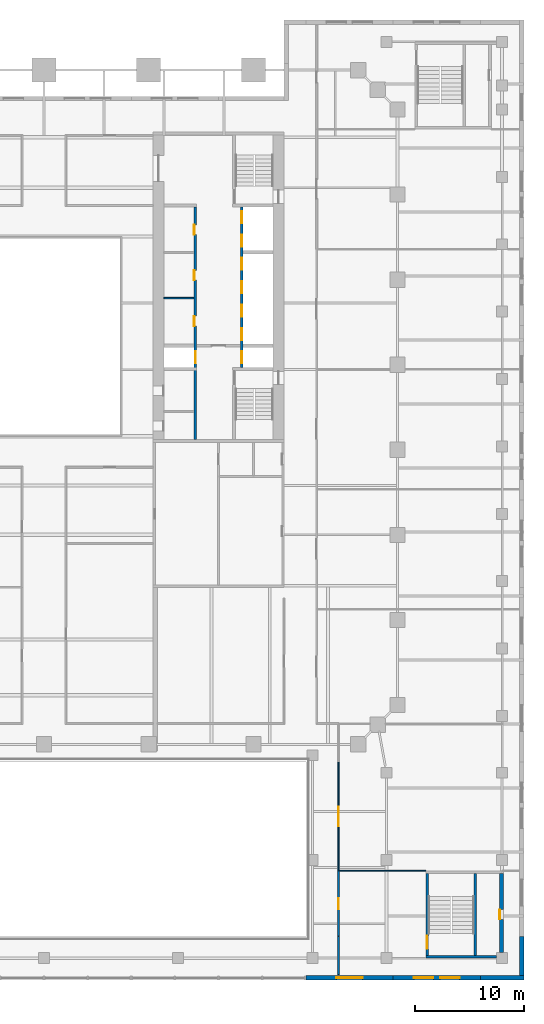
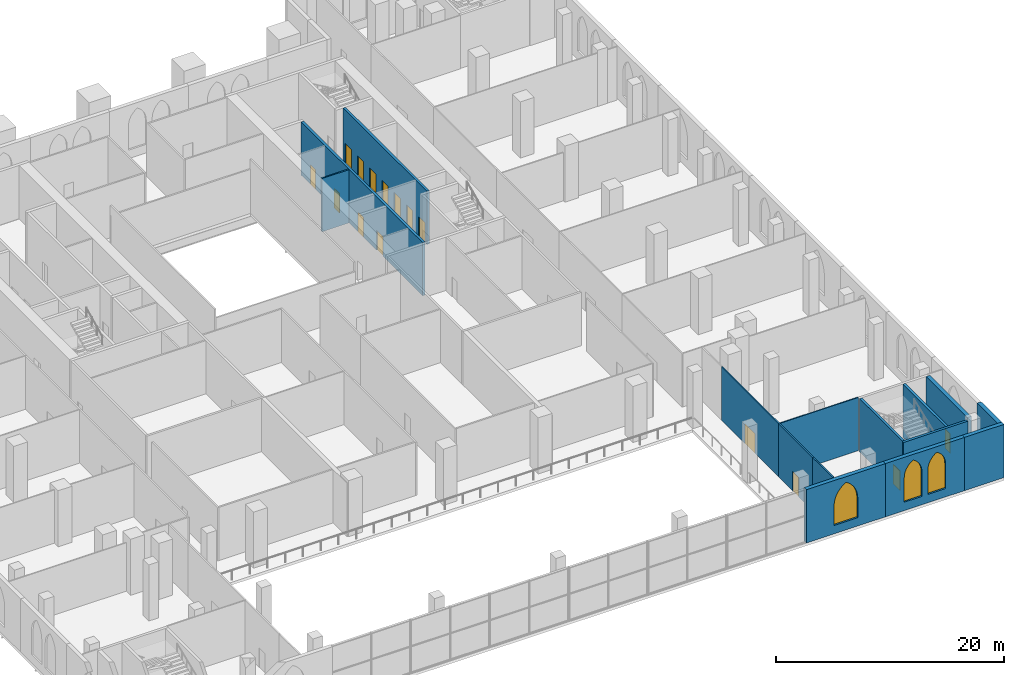
# One storey, part 12 of 21: 15 doors, 15 walls, 3 windows, 18 openings.
"""IFC4 building model written with IfcOpenShell, lengths in metres."""

import ifcopenshell
import ifcopenshell.guid

model = None  # the IFC model being written
_history = None  # IfcOwnerHistory: only IFC2X3 demands one
_inside = {}  # id of a spatial element -> (the spatial element, [elements in it])
_under = {}  # id of a project, library or spatial element -> (it, [spatial elements below it])
_declared = {}  # id of a project -> (the project, [libraries it declares])
_typed = {}  # id of a type object -> (the type object, [elements of that type])
_made_of = {}  # id of a material, layer set ... -> (it, [elements and type objects made of it])


def new_model(schema):
    """Start an empty IFC model of exactly this schema.

    Asked for "IFC4X3", IfcOpenShell would pick the latest addendum, in which some entities
    have other attributes; the version numbers below select the first issue.
    IFC2X3 requires an IfcOwnerHistory on every rooted entity: one is made here for all.
    """
    global model, _history
    if schema == "IFC4X3":
        model = ifcopenshell.file(schema_version=(4, 3, 0, 0))
    else:
        model = ifcopenshell.file(schema=schema)
    _inside.clear()
    _under.clear()
    _declared.clear()
    _typed.clear()
    _made_of.clear()
    _history = None
    if model.schema == "IFC2X3":
        org = make("IfcOrganization", Name="unknown")
        user = make(
            "IfcPersonAndOrganization",
            ThePerson=make("IfcPerson", FamilyName="unknown"),
            TheOrganization=org,
        )
        app = make(
            "IfcApplication",
            ApplicationDeveloper=org,
            Version="unknown",
            ApplicationFullName="unknown",
            ApplicationIdentifier="unknown",
        )
        _history = make(
            "IfcOwnerHistory",
            OwningUser=user,
            OwningApplication=app,
            ChangeAction="ADDED",
            CreationDate=0,
        )
    return model


def make(cls, **values):
    """One entity of the class cls with the attributes given. An attribute that is None is left unset."""
    return model.create_entity(
        cls, **{name: value for name, value in values.items() if value is not None}
    )


def rooted(cls, **values):
    """An entity with a GlobalId (a new one), such as an element, a storey or a relation."""
    return make(cls, GlobalId=ifcopenshell.guid.new(), OwnerHistory=_history, **values)


def si_unit(unit_type, name, prefix=None):
    """IfcSIUnit, for example si_unit("LENGTHUNIT", "METRE", prefix="MILLI")."""
    return make("IfcSIUnit", UnitType=unit_type, Prefix=prefix, Name=name)


def assignment(units):
    """IfcUnitAssignment: the units of a project."""
    return None if units is None else make("IfcUnitAssignment", Units=units)


def point(xyz):
    """IfcCartesianPoint."""
    return None if xyz is None else make("IfcCartesianPoint", Coordinates=xyz)


def direction(xyz):
    """IfcDirection."""
    return None if xyz is None else make("IfcDirection", DirectionRatios=xyz)


def frame(location, z_axis=None, x_axis=None):
    """IfcAxis2Placement3D, a coordinate frame: its origin and axes. An axis left out is left unset."""
    return make(
        "IfcAxis2Placement3D",
        Location=point(location),
        Axis=direction(z_axis),
        RefDirection=direction(x_axis),
    )


def frame_2d(location, x_axis=None):
    """IfcAxis2Placement2D, a coordinate frame in the plane: its origin and x axis."""
    return make(
        "IfcAxis2Placement2D", Location=point(location), RefDirection=direction(x_axis)
    )


def origin():
    """The frame at (0, 0, 0) with its axes left unset."""
    return frame((0.0, 0.0, 0.0))


def place(relative_to, where):
    """IfcLocalPlacement: puts the frame where relative to a parent placement (None: the world)."""
    return make(
        "IfcLocalPlacement", PlacementRelTo=relative_to, RelativePlacement=where
    )


def context(
    kind, dimensions, precision=None, world=None, true_north=None, identifier=None
):
    """IfcGeometricRepresentationContext, for example the 3D "Model" context."""
    return make(
        "IfcGeometricRepresentationContext",
        ContextIdentifier=identifier,
        ContextType=kind,
        CoordinateSpaceDimension=dimensions,
        Precision=precision,
        WorldCoordinateSystem=world,
        TrueNorth=true_north,
    )


def subcontext(parent, identifier, kind, view, scale=None):
    """IfcGeometricRepresentationSubContext, for example "Body" below "Model"."""
    return make(
        "IfcGeometricRepresentationSubContext",
        ContextIdentifier=identifier,
        ContextType=kind,
        ParentContext=parent,
        TargetScale=scale,
        TargetView=view,
    )


def project(units=None, contexts=None):
    """IfcProject with its units and contexts."""
    return rooted(
        "IfcProject",
        Name="project",
        RepresentationContexts=contexts,
        UnitsInContext=assignment(units),
    )


def spatial(cls, under=None, at=None, **own):
    """A site, building, storey or space (cls), placed at a placement, below another one or the project."""
    s = rooted(cls, ObjectPlacement=at, **own)
    if under is not None:
        _under.setdefault(under.id(), (under, []))[1].append(s)
    return s


def polyline(points):
    """IfcPolyline through the points."""
    return make("IfcPolyline", Points=[point(p) for p in points])


def profile(cls, at=None, kind="AREA", **sizes):
    """A parametric profile (cls). Its sizes go by their IFC names, for example OverallWidth=200.0."""
    return make(cls, ProfileType=kind, Position=at, **sizes)


def rectangle(**sizes):
    """IfcRectangleProfileDef."""
    return profile("IfcRectangleProfileDef", **sizes)


def outline(outer, holes=None, kind="AREA"):
    """IfcArbitraryClosedProfileDef: a profile drawn as a closed curve; with holes, ...WithVoids."""
    if holes is None:
        return make("IfcArbitraryClosedProfileDef", ProfileType=kind, OuterCurve=outer)
    return make(
        "IfcArbitraryProfileDefWithVoids",
        ProfileType=kind,
        OuterCurve=outer,
        InnerCurves=holes,
    )


def extrude(swept, where, along, depth):
    """IfcExtrudedAreaSolid: the profile swept, set in the frame where, extruded along a direction by depth."""
    return make(
        "IfcExtrudedAreaSolid",
        SweptArea=swept,
        Position=where,
        ExtrudedDirection=direction(along),
        Depth=depth,
    )


def shape(context_of_items, identifier, shape_type, items):
    """IfcShapeRepresentation: the items that make up one representation, for example the "Body"."""
    return make(
        "IfcShapeRepresentation",
        ContextOfItems=context_of_items,
        RepresentationIdentifier=identifier,
        RepresentationType=shape_type,
        Items=items,
    )


def material(Name=None, Category=None):
    """IfcMaterial."""
    return make("IfcMaterial", Name=Name, Category=Category)


def layer(
    of_material, thickness, ventilated=None, Name=None, Category=None, Priority=None
):
    """IfcMaterialLayer: one layer of a wall or slab, of a material (None: an air gap)."""
    return make(
        "IfcMaterialLayer",
        Material=of_material,
        LayerThickness=thickness,
        IsVentilated=ventilated,
        Name=Name,
        Category=Category,
        Priority=Priority,
    )


def layer_set(layers, Name=None):
    """IfcMaterialLayerSet."""
    return make("IfcMaterialLayerSet", MaterialLayers=layers, LayerSetName=Name)


def made_of(thing, what):
    """Note that an element or type object is made of a material, layer set ...; save() writes the relation."""
    if what is not None:
        _made_of.setdefault(what.id(), (what, []))[1].append(thing)
    return thing


def type_object(cls, material=None, **own):
    """A type object (cls), such as IfcWallType, which elements share."""
    return made_of(rooted(cls, **own), material)


def element(
    cls,
    number,
    at=None,
    inside=None,
    cuts=None,
    type_object=None,
    material=None,
    context=None,
    identifier="Body",
    shape_type=None,
    held_by="IfcProductDefinitionShape",
    body=None,
    shapes=None,
    **own,
):
    """One element of the class cls, such as IfcWall. Its Tag is "e" and its number.

    at: its placement. inside: the storey or other place that contains it. cuts: it is an
    opening in that element (IfcRelVoidsElement). A single representation is given by context,
    identifier, shape_type and body (its items); several are given by shapes. held_by: the class
    of the entity that holds the representations. save() writes the other relations.
    """
    e = rooted(cls, Tag="e%d" % number, ObjectPlacement=at, **own)
    if body is not None:
        shapes = [shape(context, identifier, shape_type, body)]
    if shapes is not None:
        e.Representation = make(held_by, Representations=shapes)
    if inside is not None:
        _inside.setdefault(inside.id(), (inside, []))[1].append(e)
    if cuts is not None:
        rooted(
            "IfcRelVoidsElement", RelatingBuildingElement=cuts, RelatedOpeningElement=e
        )
    if type_object is not None:
        _typed.setdefault(type_object.id(), (type_object, []))[1].append(e)
    return made_of(e, material)


def fill(opening, filler):
    """IfcRelFillsElement: the door or window that sits in an opening."""
    return rooted(
        "IfcRelFillsElement",
        RelatingOpeningElement=opening,
        RelatedBuildingElement=filler,
    )


def aggregate(whole, parts):
    """IfcRelAggregates: a whole, such as a stair, and the parts it consists of."""
    return rooted("IfcRelAggregates", RelatingObject=whole, RelatedObjects=parts)


def save(model, path):
    """Write the relations noted so far, then the file.

    IfcRelAggregates (storeys below a building ...), IfcRelContainedInSpatialStructure (elements
    in a storey), IfcRelDefinesByType, IfcRelAssociatesMaterial and IfcRelDeclares: one each for
    every whole, place, type object, material and project.
    """
    for whole, parts in _under.values():
        aggregate(whole, parts)
    for where, things in _inside.values():
        rooted(
            "IfcRelContainedInSpatialStructure",
            RelatedElements=things,
            RelatingStructure=where,
        )
    for kind, things in _typed.values():
        rooted("IfcRelDefinesByType", RelatedObjects=things, RelatingType=kind)
    for what, things in _made_of.values():
        rooted("IfcRelAssociatesMaterial", RelatedObjects=things, RelatingMaterial=what)
    for by, libraries in _declared.values():
        rooted("IfcRelDeclares", RelatingContext=by, RelatedDefinitions=libraries)
    model.write(path)


model = new_model("IFC4")

# Units and contexts
model_context = context("Model", 3, precision=1e-05, world=origin(), true_north=direction((0.0, 1.0)))
body_context = subcontext(model_context, "Body", "Model", "MODEL_VIEW")
ifc_project = project(units=[si_unit("LENGTHUNIT", "METRE"), si_unit("AREAUNIT", "SQUARE_METRE"), si_unit("VOLUMEUNIT", "CUBIC_METRE"), si_unit("PLANEANGLEUNIT", "RADIAN"), si_unit("MASSUNIT", "GRAM", prefix="KILO")], contexts=[model_context])

# Site, building, storey
site_placement = place(None, origin())
site = spatial("IfcSite", under=ifc_project, at=site_placement, CompositionType="ELEMENT")
building_placement = place(site_placement, origin())
building = spatial("IfcBuilding", under=site, at=building_placement, Name="Ogive Exchange Tower", CompositionType="ELEMENT")
storey_placement = place(building_placement, frame((0.0, 0.0, 8.0)))
storey = spatial("IfcBuildingStorey", under=building, at=storey_placement, Name="L01", CompositionType="ELEMENT", Elevation=8.0)

# Walls
ifc_material_1 = material(Name="Gypsum board partition")
ifc_layer_1 = layer(ifc_material_1, 0.14990234375)
ifc_layer_set_1 = layer_set([ifc_layer_1], Name="Core room partition 150 gypsum")
wall_type_1 = type_object("IfcWallType", Name="Core room partition 150 gypsum", PredefinedType="PARTITIONING", material=ifc_layer_set_1)
wall_1_placement = place(storey_placement, frame((11.0, 10.5, 0.0), z_axis=(0.0, 0.0, 1.0), x_axis=(1.0, 0.0, 0.0)))
element("IfcWall", 1, at=wall_1_placement, inside=storey, type_object=wall_type_1, Name="E row B bay partition 1-1", PredefinedType="PARTITIONING", context=body_context, shape_type="SweptSolid", body=[
    extrude(rectangle(XDim=2.75, YDim=0.14990234375, at=frame_2d((1.375, 0.0))), origin(), (0.0, 0.0, 1.0), 5.699951171875),
])
ifc_material_2 = material(Name="Fire partition EI 60 150")
ifc_layer_2 = layer(ifc_material_2, 0.14990234375)
ifc_layer_set_2 = layer_set([ifc_layer_2], Name="Fire partition EI 60 150")
wall_type_2 = type_object("IfcWallType", Name="Fire partition EI 60 150", PredefinedType="PARTITIONING", material=ifc_layer_set_2)
wall_2_placement = place(storey_placement, frame((27.0, -51.5, 0.0), z_axis=(0.0, 0.0, 1.0), x_axis=(0.0, 1.0, 0.0)))
element("IfcWall", 2, at=wall_2_placement, inside=storey, type_object=wall_type_2, Name="L01-PWL-066", PredefinedType="PARTITIONING", context=body_context, shape_type="SweptSolid", body=[
    extrude(rectangle(XDim=3.5, YDim=0.14990234375, at=frame_2d((1.75, 0.0))), origin(), (0.0, 0.0, 1.0), 5.699951171875),
])

# Wall, opening, door
wall_3_placement = place(storey_placement, frame((27.0, -48.0, 0.0), z_axis=(0.0, 0.0, 1.0), x_axis=(0.0, 1.0, 0.0)))
wall_3 = element("IfcWall", 3, at=wall_3_placement, inside=storey, type_object=wall_type_2, Name="L01-PWL-067", PredefinedType="PARTITIONING", context=body_context, shape_type="SweptSolid", body=[
    extrude(rectangle(XDim=6.0, YDim=0.14990234375, at=frame_2d((3.0, 0.0))), origin(), (0.0, 0.0, 1.0), 5.699951171875),
])
opening_1_placement = place(wall_3_placement, frame((2.5, 0.0, 0.0)))
opening_1 = element("IfcOpeningElement", 4, at=opening_1_placement, cuts=wall_3, Name="Opening L01-I16", PredefinedType="OPENING", context=body_context, shape_type="SweptSolid", body=[
    extrude(rectangle(XDim=1.0, YDim=2.10009765625, at=frame_2d((0.5, 1.050048828125))), frame((0.0, 0.0849609375, 0.0), z_axis=(0.0, -1.0, 0.0), x_axis=(1.0, 0.0, 0.0)), (0.0, 0.0, 1.0), 0.169921875),
])
ifc_material_3 = material(Name="Fire door FD 30S 1000 x 2100")
door_type_1 = type_object("IfcDoorType", Name="Fire door FD 30S 1000 x 2100", OperationType="NOTDEFINED", PredefinedType="DOOR", material=ifc_material_3)
door_1_placement = place(opening_1_placement, frame((1.0, 0.0, 0.0), z_axis=(0.0, 0.0, 1.0), x_axis=(-1.0, 0.0, 0.0)))
door_1 = element("IfcDoor", 5, at=door_1_placement, inside=storey, type_object=door_type_1, Name="L01-IDR-016", ObjectType="DT3", OperationType="SINGLE_SWING_RIGHT", OverallHeight=2.10009765625, OverallWidth=1.0, PredefinedType="DOOR", context=body_context, shape_type="SweptSolid", body=[
    extrude(rectangle(XDim=1.0, YDim=2.10009765625, at=frame_2d((0.5, 1.050048828125))), frame((0.0, 0.02490234375, 0.0), z_axis=(0.0, -1.0, 0.0), x_axis=(1.0, 0.0, 0.0)), (0.0, 0.0, 1.0), 0.050048828125),
])
fill(opening_1, door_1)

ifc_material_4 = material(Name="Glazed fire partition EI 60 120")
ifc_layer_3 = layer(ifc_material_4, 0.1201171875)
ifc_layer_set_3 = layer_set([ifc_layer_3], Name="Glazed fire partition EI 60 120")
wall_type_3 = type_object("IfcWallType", Name="Glazed fire partition EI 60 120", PredefinedType="PARTITIONING", material=ifc_layer_set_3)
wall_4_placement = place(storey_placement, frame((27.0, -42.0, 0.0), z_axis=(0.0, 0.0, 1.0), x_axis=(0.0, 1.0, 0.0)))
wall_4 = element("IfcWall", 6, at=wall_4_placement, inside=storey, type_object=wall_type_3, Name="L01-PWL-068", PredefinedType="PARTITIONING", context=body_context, shape_type="SweptSolid", body=[
    extrude(rectangle(XDim=10.0, YDim=0.1201171875, at=frame_2d((5.0, 0.0))), origin(), (0.0, 0.0, 1.0), 5.699951171875),
])
opening_2_placement = place(wall_4_placement, frame((4.10009765625, 0.0, 0.0)))
opening_2 = element("IfcOpeningElement", 7, at=opening_2_placement, cuts=wall_4, Name="Opening L01-I17", PredefinedType="OPENING", context=body_context, shape_type="SweptSolid", body=[
    extrude(rectangle(XDim=1.800048828125, YDim=2.10009765625, at=frame_2d((0.89990234375, 1.050048828125))), frame((0.0, 0.070068359375, 0.0), z_axis=(0.0, -1.0, 0.0), x_axis=(1.0, 0.0, 0.0)), (0.0, 0.0, 1.0), 0.14013671875),
])
ifc_material_5 = material(Name="Fire door FD 30S 1800 x 2100")
door_type_2 = type_object("IfcDoorType", Name="Fire door FD 30S 1800 x 2100", OperationType="DOUBLE_DOOR_SINGLE_SWING", PredefinedType="DOOR", material=ifc_material_5)
door_2_placement = place(opening_2_placement, frame((1.800048828125, 0.0, 0.0), z_axis=(0.0, 0.0, 1.0), x_axis=(-1.0, 0.0, 0.0)))
door_2 = element("IfcDoor", 8, at=door_2_placement, inside=storey, type_object=door_type_2, Name="L01-IDR-017", ObjectType="DT4", OperationType="SINGLE_SWING_RIGHT", OverallHeight=2.10009765625, OverallWidth=1.800048828125, PredefinedType="DOOR", context=body_context, shape_type="SweptSolid", body=[
    extrude(rectangle(XDim=1.800048828125, YDim=2.10009765625, at=frame_2d((0.89990234375, 1.050048828125))), frame((0.0, 0.02490234375, 0.0), z_axis=(0.0, -1.0, 0.0), x_axis=(1.0, 0.0, 0.0)), (0.0, 0.0, 1.0), 0.050048828125),
])
fill(opening_2, door_2)

# Wall, opening, window
ifc_material_6 = material(Name="Precast concrete C40/50", Category="concrete")
ifc_layer_4 = layer(ifc_material_6, 0.39990234375)
ifc_layer_set_4 = layer_set([ifc_layer_4], Name="Limestone-faced wall 400")
wall_type_4 = type_object("IfcWallType", Name="Limestone-faced wall 400", PredefinedType="STANDARD", material=ifc_layer_set_4)
wall_5_placement = place(storey_placement, frame((24.0, -51.800048828125, 0.0), z_axis=(0.0, 0.0, 1.0), x_axis=(1.0, 0.0, 0.0)))
wall_5 = element("IfcWall", 9, at=wall_5_placement, inside=storey, type_object=wall_type_4, Name="Podium wall S10", PredefinedType="STANDARD", context=body_context, shape_type="SweptSolid", body=[
    extrude(rectangle(XDim=8.0, YDim=0.39990234375, at=frame_2d((4.0, 0.0))), origin(), (0.0, 0.0, 1.0), 5.699951171875),
])
opening_3_placement = place(wall_5_placement, frame((2.800048828125, 0.0, 0.89990234375)))
opening_3 = element("IfcOpeningElement", 10, at=opening_3_placement, cuts=wall_5, Name="Opening WP420", PredefinedType="OPENING", context=body_context, shape_type="SweptSolid", body=[
    extrude(outline(polyline([(0.0, 0.0), (2.39990234375, 0.0), (2.39990234375, 2.12158203125), (2.37939453125, 2.434814453125), (2.318115234375, 2.74267578125), (2.21728515625, 3.0400390625), (2.078369140625, 3.321533203125), (1.904052734375, 3.58251953125), (1.697021484375, 3.818603515625), (1.4609375, 4.025634765625), (1.199951171875, 4.199951171875), (0.93896484375, 4.025634765625), (0.702880859375, 3.818603515625), (0.495849609375, 3.58251953125), (0.321533203125, 3.321533203125), (0.1826171875, 3.0400390625), (0.081787109375, 2.74267578125), (0.0205078125, 2.434814453125), (0.0, 2.12158203125), (0.0, 0.0)])), frame((0.0, 0.2099609375, 0.0), z_axis=(0.0, -1.0, 0.0), x_axis=(1.0, 0.0, 0.0)), (0.0, 0.0, 1.0), 0.419921875),
])
ifc_material_7 = material(Name="Clear glass in bronze frame", Category="glass")
window_type_1 = type_object("IfcWindowType", Name="Podium lancet window 2400 x 4200", PartitioningType="DOUBLE_PANEL_VERTICAL", PredefinedType="WINDOW", material=ifc_material_7)
window_1_placement = place(opening_3_placement, origin())
window_1 = element("IfcWindow", 11, at=window_1_placement, inside=storey, type_object=window_type_1, Name="Podium window S10", OverallHeight=4.199951171875, OverallWidth=2.39990234375, PartitioningType="DOUBLE_PANEL_VERTICAL", PredefinedType="WINDOW", context=body_context, shape_type="SweptSolid", body=[
    extrude(outline(polyline([(0.0, 0.0), (2.39990234375, 0.0), (2.39990234375, 2.12158203125), (2.37939453125, 2.434814453125), (2.318115234375, 2.74267578125), (2.21728515625, 3.0400390625), (2.078369140625, 3.321533203125), (1.904052734375, 3.58251953125), (1.697021484375, 3.818603515625), (1.4609375, 4.025634765625), (1.199951171875, 4.199951171875), (0.93896484375, 4.025634765625), (0.702880859375, 3.818603515625), (0.495849609375, 3.58251953125), (0.321533203125, 3.321533203125), (0.1826171875, 3.0400390625), (0.081787109375, 2.74267578125), (0.0205078125, 2.434814453125), (0.0, 2.12158203125), (0.0, 0.0)])), frame((0.0, 0.030029296875, 0.0), z_axis=(0.0, -1.0, 0.0), x_axis=(1.0, 0.0, 0.0)), (0.0, 0.0, 1.0), 0.06005859375),
])
fill(opening_3, window_1)

# Wall, openings, windows
wall_6_placement = place(storey_placement, frame((32.0, -51.800048828125, 0.0), z_axis=(0.0, 0.0, 1.0), x_axis=(1.0, 0.0, 0.0)))
wall_6 = element("IfcWall", 12, at=wall_6_placement, inside=storey, type_object=wall_type_4, Name="Podium wall S11", PredefinedType="STANDARD", context=body_context, shape_type="SweptSolid", body=[
    extrude(rectangle(XDim=8.0, YDim=0.39990234375, at=frame_2d((4.0, 0.0))), origin(), (0.0, 0.0, 1.0), 5.699951171875),
])
opening_4_placement = place(wall_6_placement, frame((1.89990234375, 0.0, 0.89990234375)))
opening_4 = element("IfcOpeningElement", 13, at=opening_4_placement, cuts=wall_6, Name="Opening WQ420", PredefinedType="OPENING", context=body_context, shape_type="SweptSolid", body=[
    extrude(outline(polyline([(0.0, 0.0), (1.800048828125, 0.0), (1.800048828125, 2.64111328125), (1.78466796875, 2.8759765625), (1.73876953125, 3.10693359375), (1.6630859375, 3.329833984375), (1.558837890625, 3.541015625), (1.427978515625, 3.73681640625), (1.272705078125, 3.913818359375), (1.095703125, 4.069091796875), (0.89990234375, 4.199951171875), (0.704345703125, 4.069091796875), (0.52734375, 3.913818359375), (0.3720703125, 3.73681640625), (0.2412109375, 3.541015625), (0.136962890625, 3.329833984375), (0.061279296875, 3.10693359375), (0.015380859375, 2.8759765625), (0.0, 2.64111328125), (0.0, 0.0)])), frame((0.0, 0.2099609375, 0.0), z_axis=(0.0, -1.0, 0.0), x_axis=(1.0, 0.0, 0.0)), (0.0, 0.0, 1.0), 0.419921875),
])
opening_5_placement = place(wall_6_placement, frame((4.300048828125, 0.0, 0.89990234375)))
opening_5 = element("IfcOpeningElement", 14, at=opening_5_placement, cuts=wall_6, Name="Opening WQ420", PredefinedType="OPENING", context=body_context, shape_type="SweptSolid", body=[
    extrude(outline(polyline([(0.0, 0.0), (1.800048828125, 0.0), (1.800048828125, 2.64111328125), (1.78466796875, 2.8759765625), (1.73876953125, 3.10693359375), (1.6630859375, 3.329833984375), (1.558837890625, 3.541015625), (1.427978515625, 3.73681640625), (1.272705078125, 3.913818359375), (1.095703125, 4.069091796875), (0.89990234375, 4.199951171875), (0.704345703125, 4.069091796875), (0.52734375, 3.913818359375), (0.3720703125, 3.73681640625), (0.2412109375, 3.541015625), (0.136962890625, 3.329833984375), (0.061279296875, 3.10693359375), (0.015380859375, 2.8759765625), (0.0, 2.64111328125), (0.0, 0.0)])), frame((0.0, 0.2099609375, 0.0), z_axis=(0.0, -1.0, 0.0), x_axis=(1.0, 0.0, 0.0)), (0.0, 0.0, 1.0), 0.419921875),
])
window_type_2 = type_object("IfcWindowType", Name="Podium paired lancet 1800 x 4200", PartitioningType="DOUBLE_PANEL_VERTICAL", PredefinedType="WINDOW", material=ifc_material_7)
window_2_placement = place(opening_4_placement, origin())
window_2 = element("IfcWindow", 15, at=window_2_placement, inside=storey, type_object=window_type_2, Name="Podium paired lancet S11.1", OverallHeight=4.199951171875, OverallWidth=1.800048828125, PartitioningType="DOUBLE_PANEL_VERTICAL", PredefinedType="WINDOW", context=body_context, shape_type="SweptSolid", body=[
    extrude(outline(polyline([(0.0, 0.0), (1.800048828125, 0.0), (1.800048828125, 2.64111328125), (1.78466796875, 2.8759765625), (1.73876953125, 3.10693359375), (1.6630859375, 3.329833984375), (1.558837890625, 3.541015625), (1.427978515625, 3.73681640625), (1.272705078125, 3.913818359375), (1.095703125, 4.069091796875), (0.89990234375, 4.199951171875), (0.704345703125, 4.069091796875), (0.52734375, 3.913818359375), (0.3720703125, 3.73681640625), (0.2412109375, 3.541015625), (0.136962890625, 3.329833984375), (0.061279296875, 3.10693359375), (0.015380859375, 2.8759765625), (0.0, 2.64111328125), (0.0, 0.0)])), frame((0.0, 0.030029296875, 0.0), z_axis=(0.0, -1.0, 0.0), x_axis=(1.0, 0.0, 0.0)), (0.0, 0.0, 1.0), 0.06005859375),
])
fill(opening_4, window_2)
window_3_placement = place(opening_5_placement, origin())
window_3 = element("IfcWindow", 16, at=window_3_placement, inside=storey, type_object=window_type_2, Name="Podium paired lancet S11.2", OverallHeight=4.199951171875, OverallWidth=1.800048828125, PartitioningType="DOUBLE_PANEL_VERTICAL", PredefinedType="WINDOW", context=body_context, shape_type="SweptSolid", body=[
    extrude(outline(polyline([(0.0, 0.0), (1.800048828125, 0.0), (1.800048828125, 2.64111328125), (1.78466796875, 2.8759765625), (1.73876953125, 3.10693359375), (1.6630859375, 3.329833984375), (1.558837890625, 3.541015625), (1.427978515625, 3.73681640625), (1.272705078125, 3.913818359375), (1.095703125, 4.069091796875), (0.89990234375, 4.199951171875), (0.704345703125, 4.069091796875), (0.52734375, 3.913818359375), (0.3720703125, 3.73681640625), (0.2412109375, 3.541015625), (0.136962890625, 3.329833984375), (0.061279296875, 3.10693359375), (0.015380859375, 2.8759765625), (0.0, 2.64111328125), (0.0, 0.0)])), frame((0.0, 0.030029296875, 0.0), z_axis=(0.0, -1.0, 0.0), x_axis=(1.0, 0.0, 0.0)), (0.0, 0.0, 1.0), 0.06005859375),
])
fill(opening_5, window_3)

# Walls
wall_7_placement = place(storey_placement, frame((40.0, -51.800048828125, 0.0), z_axis=(0.0, 0.0, 1.0), x_axis=(1.0, 0.0, 0.0)))
element("IfcWall", 17, at=wall_7_placement, inside=storey, type_object=wall_type_4, Name="Podium wall S12", PredefinedType="STANDARD", context=body_context, shape_type="SweptSolid", body=[
    extrude(rectangle(XDim=4.0, YDim=0.39990234375, at=frame_2d((2.0, 0.0))), origin(), (0.0, 0.0, 1.0), 5.699951171875),
])
wall_8_placement = place(storey_placement, frame((43.800048828125, -51.60009765625, 0.0), z_axis=(0.0, 0.0, 1.0), x_axis=(0.0, 1.0, 0.0)))
element("IfcWall", 18, at=wall_8_placement, inside=storey, type_object=wall_type_4, Name="Podium wall E1", PredefinedType="STANDARD", context=body_context, shape_type="SweptSolid", body=[
    extrude(rectangle(XDim=3.60009765625, YDim=0.39990234375, at=frame_2d((1.800048828125, 0.0))), origin(), (0.0, 0.0, 1.0), 5.699951171875),
])
ifc_material_8 = material(Name="Partition 100 gypsum")
ifc_layer_5 = layer(ifc_material_8, 0.10009765625)
ifc_layer_set_5 = layer_set([ifc_layer_5], Name="Partition 100 gypsum")
wall_type_5 = type_object("IfcWallType", Name="Partition 100 gypsum", PredefinedType="PARTITIONING", material=ifc_layer_set_5)
wall_9_placement = place(storey_placement, frame((27.074951171875, -42.0, 0.0), z_axis=(0.0, 0.0, 1.0), x_axis=(1.0, 0.0, 0.0)))
element("IfcWall", 19, at=wall_9_placement, inside=storey, type_object=wall_type_5, Name="L01-PWL-003", PredefinedType="PARTITIONING", context=body_context, shape_type="SweptSolid", body=[
    extrude(rectangle(XDim=7.925048828125, YDim=0.10009765625, at=frame_2d((3.96240234375, 0.0))), origin(), (0.0, 0.0, 1.0), 5.699951171875),
])

# Wall, openings, doors
ifc_material_9 = material(Name="Concrete C70/85", Category="concrete")
ifc_layer_6 = layer(ifc_material_9, 0.25)
ifc_layer_set_6 = layer_set([ifc_layer_6], Name="RC core wall 250 C70/85")
wall_type_6 = type_object("IfcWallType", Name="RC core wall 250 C70/85", PredefinedType="SHEAR", material=ifc_layer_set_6)
wall_10_placement = place(storey_placement, frame((18.125, 4.14990234375, 0.0), z_axis=(0.0, 0.0, 1.0), x_axis=(0.0, 1.0, 0.0)))
wall_10 = element("IfcWall", 20, at=wall_10_placement, inside=storey, type_object=wall_type_6, Name="E row A front wall", PredefinedType="SHEAR", context=body_context, shape_type="SweptSolid", body=[
    extrude(rectangle(XDim=14.7001953125, YDim=0.25, at=frame_2d((7.35009765625, 0.0))), origin(), (0.0, 0.0, 1.0), 5.699951171875),
])
opening_6_placement = place(wall_10_placement, frame((0.371337890625, 0.0, 0.0)))
opening_6 = element("IfcOpeningElement", 21, at=opening_6_placement, cuts=wall_10, Name="Opening L01-C22", PredefinedType="OPENING", context=body_context, shape_type="SweptSolid", body=[
    extrude(rectangle(XDim=1.10009765625, YDim=2.10009765625, at=frame_2d((0.550048828125, 1.050048828125))), frame((0.0, 0.135009765625, 0.0), z_axis=(0.0, -1.0, 0.0), x_axis=(1.0, 0.0, 0.0)), (0.0, 0.0, 1.0), 0.27001953125),
])
opening_7_placement = place(wall_10_placement, frame((2.514404296875, 0.0, 0.0)))
opening_7 = element("IfcOpeningElement", 22, at=opening_7_placement, cuts=wall_10, Name="Opening L01-C23", PredefinedType="OPENING", context=body_context, shape_type="SweptSolid", body=[
    extrude(rectangle(XDim=1.10009765625, YDim=2.10009765625, at=frame_2d((0.550048828125, 1.050048828125))), frame((0.0, 0.135009765625, 0.0), z_axis=(0.0, -1.0, 0.0), x_axis=(1.0, 0.0, 0.0)), (0.0, 0.0, 1.0), 0.27001953125),
])
opening_8_placement = place(wall_10_placement, frame((4.656982421875, 0.0, 0.0)))
opening_8 = element("IfcOpeningElement", 23, at=opening_8_placement, cuts=wall_10, Name="Opening L01-C24", PredefinedType="OPENING", context=body_context, shape_type="SweptSolid", body=[
    extrude(rectangle(XDim=1.10009765625, YDim=2.10009765625, at=frame_2d((0.550048828125, 1.050048828125))), frame((0.0, 0.135009765625, 0.0), z_axis=(0.0, -1.0, 0.0), x_axis=(1.0, 0.0, 0.0)), (0.0, 0.0, 1.0), 0.27001953125),
])
opening_9_placement = place(wall_10_placement, frame((6.800048828125, 0.0, 0.0)))
opening_9 = element("IfcOpeningElement", 24, at=opening_9_placement, cuts=wall_10, Name="Opening L01-C25", PredefinedType="OPENING", context=body_context, shape_type="SweptSolid", body=[
    extrude(rectangle(XDim=1.10009765625, YDim=2.10009765625, at=frame_2d((0.550048828125, 1.050048828125))), frame((0.0, 0.135009765625, 0.0), z_axis=(0.0, -1.0, 0.0), x_axis=(1.0, 0.0, 0.0)), (0.0, 0.0, 1.0), 0.27001953125),
])
opening_10_placement = place(wall_10_placement, frame((8.94287109375, 0.0, 0.0)))
opening_10 = element("IfcOpeningElement", 25, at=opening_10_placement, cuts=wall_10, Name="Opening L01-C26", PredefinedType="OPENING", context=body_context, shape_type="SweptSolid", body=[
    extrude(rectangle(XDim=1.10009765625, YDim=2.10009765625, at=frame_2d((0.550048828125, 1.050048828125))), frame((0.0, 0.135009765625, 0.0), z_axis=(0.0, -1.0, 0.0), x_axis=(1.0, 0.0, 0.0)), (0.0, 0.0, 1.0), 0.27001953125),
])
opening_11_placement = place(wall_10_placement, frame((11.085693359375, 0.0, 0.0)))
opening_11 = element("IfcOpeningElement", 26, at=opening_11_placement, cuts=wall_10, Name="Opening L01-C27", PredefinedType="OPENING", context=body_context, shape_type="SweptSolid", body=[
    extrude(rectangle(XDim=1.10009765625, YDim=2.10009765625, at=frame_2d((0.550048828125, 1.050048828125))), frame((0.0, 0.135009765625, 0.0), z_axis=(0.0, -1.0, 0.0), x_axis=(1.0, 0.0, 0.0)), (0.0, 0.0, 1.0), 0.27001953125),
])
opening_12_placement = place(wall_10_placement, frame((13.228515625, 0.0, 0.0)))
opening_12 = element("IfcOpeningElement", 27, at=opening_12_placement, cuts=wall_10, Name="Opening L01-C28", PredefinedType="OPENING", context=body_context, shape_type="SweptSolid", body=[
    extrude(rectangle(XDim=1.10009765625, YDim=2.10009765625, at=frame_2d((0.550048828125, 1.050048828125))), frame((0.0, 0.135009765625, 0.0), z_axis=(0.0, -1.0, 0.0), x_axis=(1.0, 0.0, 0.0)), (0.0, 0.0, 1.0), 0.27001953125),
])
ifc_material_10 = material(Name="Stainless steel", Category="steel")
door_type_3 = type_object("IfcDoorType", Name="Lift landing door FD90 1100 x 2100", OperationType="SLIDING_TO_LEFT", PredefinedType="DOOR", material=ifc_material_10)
door_3_placement = place(opening_6_placement, origin())
door_3 = element("IfcDoor", 28, at=door_3_placement, inside=storey, type_object=door_type_3, Name="Lift landing door FF2", ObjectType="LD", OperationType="SLIDING_TO_LEFT", OverallHeight=2.10009765625, OverallWidth=1.10009765625, PredefinedType="DOOR", context=body_context, shape_type="SweptSolid", body=[
    extrude(rectangle(XDim=1.10009765625, YDim=2.10009765625, at=frame_2d((0.550048828125, 1.050048828125))), frame((0.0, 0.02490234375, 0.0), z_axis=(0.0, -1.0, 0.0), x_axis=(1.0, 0.0, 0.0)), (0.0, 0.0, 1.0), 0.050048828125),
])
fill(opening_6, door_3)
door_4_placement = place(opening_7_placement, origin())
door_4 = element("IfcDoor", 29, at=door_4_placement, inside=storey, type_object=door_type_3, Name="Lift landing door E-L1", ObjectType="LD", OperationType="SLIDING_TO_LEFT", OverallHeight=2.10009765625, OverallWidth=1.10009765625, PredefinedType="DOOR", context=body_context, shape_type="SweptSolid", body=[
    extrude(rectangle(XDim=1.10009765625, YDim=2.10009765625, at=frame_2d((0.550048828125, 1.050048828125))), frame((0.0, 0.02490234375, 0.0), z_axis=(0.0, -1.0, 0.0), x_axis=(1.0, 0.0, 0.0)), (0.0, 0.0, 1.0), 0.050048828125),
])
fill(opening_7, door_4)
door_5_placement = place(opening_8_placement, origin())
door_5 = element("IfcDoor", 30, at=door_5_placement, inside=storey, type_object=door_type_3, Name="Lift landing door E-L2", ObjectType="LD", OperationType="SLIDING_TO_LEFT", OverallHeight=2.10009765625, OverallWidth=1.10009765625, PredefinedType="DOOR", context=body_context, shape_type="SweptSolid", body=[
    extrude(rectangle(XDim=1.10009765625, YDim=2.10009765625, at=frame_2d((0.550048828125, 1.050048828125))), frame((0.0, 0.02490234375, 0.0), z_axis=(0.0, -1.0, 0.0), x_axis=(1.0, 0.0, 0.0)), (0.0, 0.0, 1.0), 0.050048828125),
])
fill(opening_8, door_5)
door_6_placement = place(opening_9_placement, origin())
door_6 = element("IfcDoor", 31, at=door_6_placement, inside=storey, type_object=door_type_3, Name="Lift landing door E-L3", ObjectType="LD", OperationType="SLIDING_TO_LEFT", OverallHeight=2.10009765625, OverallWidth=1.10009765625, PredefinedType="DOOR", context=body_context, shape_type="SweptSolid", body=[
    extrude(rectangle(XDim=1.10009765625, YDim=2.10009765625, at=frame_2d((0.550048828125, 1.050048828125))), frame((0.0, 0.02490234375, 0.0), z_axis=(0.0, -1.0, 0.0), x_axis=(1.0, 0.0, 0.0)), (0.0, 0.0, 1.0), 0.050048828125),
])
fill(opening_9, door_6)
door_7_placement = place(opening_10_placement, origin())
door_7 = element("IfcDoor", 32, at=door_7_placement, inside=storey, type_object=door_type_3, Name="Lift landing door E-L4", ObjectType="LD", OperationType="SLIDING_TO_LEFT", OverallHeight=2.10009765625, OverallWidth=1.10009765625, PredefinedType="DOOR", context=body_context, shape_type="SweptSolid", body=[
    extrude(rectangle(XDim=1.10009765625, YDim=2.10009765625, at=frame_2d((0.550048828125, 1.050048828125))), frame((0.0, 0.02490234375, 0.0), z_axis=(0.0, -1.0, 0.0), x_axis=(1.0, 0.0, 0.0)), (0.0, 0.0, 1.0), 0.050048828125),
])
fill(opening_10, door_7)
door_8_placement = place(opening_11_placement, origin())
door_8 = element("IfcDoor", 33, at=door_8_placement, inside=storey, type_object=door_type_3, Name="Lift landing door E-SH1", ObjectType="LD", OperationType="SLIDING_TO_LEFT", OverallHeight=2.10009765625, OverallWidth=1.10009765625, PredefinedType="DOOR", context=body_context, shape_type="SweptSolid", body=[
    extrude(rectangle(XDim=1.10009765625, YDim=2.10009765625, at=frame_2d((0.550048828125, 1.050048828125))), frame((0.0, 0.02490234375, 0.0), z_axis=(0.0, -1.0, 0.0), x_axis=(1.0, 0.0, 0.0)), (0.0, 0.0, 1.0), 0.050048828125),
])
fill(opening_11, door_8)
door_9_placement = place(opening_12_placement, origin())
door_9 = element("IfcDoor", 34, at=door_9_placement, inside=storey, type_object=door_type_3, Name="Lift landing door E-SH2", ObjectType="LD", OperationType="SLIDING_TO_LEFT", OverallHeight=2.10009765625, OverallWidth=1.10009765625, PredefinedType="DOOR", context=body_context, shape_type="SweptSolid", body=[
    extrude(rectangle(XDim=1.10009765625, YDim=2.10009765625, at=frame_2d((0.550048828125, 1.050048828125))), frame((0.0, 0.02490234375, 0.0), z_axis=(0.0, -1.0, 0.0), x_axis=(1.0, 0.0, 0.0)), (0.0, 0.0, 1.0), 0.050048828125),
])
fill(opening_12, door_9)

wall_11_placement = place(storey_placement, frame((13.875, -2.449951171875, 0.0), z_axis=(0.0, 0.0, 1.0), x_axis=(0.0, 1.0, 0.0)))
wall_11 = element("IfcWall", 35, at=wall_11_placement, inside=storey, type_object=wall_type_6, Name="E row B front wall", PredefinedType="SHEAR", context=body_context, shape_type="SweptSolid", body=[
    extrude(rectangle(XDim=21.300048828125, YDim=0.25, at=frame_2d((10.64990234375, 0.0))), origin(), (0.0, 0.0, 1.0), 5.699951171875),
])
opening_13_placement = place(wall_11_placement, frame((10.396484375, 0.0, 0.0)))
opening_13 = element("IfcOpeningElement", 36, at=opening_13_placement, cuts=wall_11, Name="Opening L01-C29", PredefinedType="OPENING", context=body_context, shape_type="SweptSolid", body=[
    extrude(rectangle(XDim=0.89990234375, YDim=2.10009765625, at=frame_2d((0.449951171875, 1.050048828125))), frame((0.0, 0.135009765625, 0.0), z_axis=(0.0, -1.0, 0.0), x_axis=(1.0, 0.0, 0.0)), (0.0, 0.0, 1.0), 0.27001953125),
])
opening_14_placement = place(wall_11_placement, frame((14.60009765625, 0.0, 0.0)))
opening_14 = element("IfcOpeningElement", 37, at=opening_14_placement, cuts=wall_11, Name="Opening L01-C30", PredefinedType="OPENING", context=body_context, shape_type="SweptSolid", body=[
    extrude(rectangle(XDim=0.89990234375, YDim=2.10009765625, at=frame_2d((0.449951171875, 1.050048828125))), frame((0.0, 0.135009765625, 0.0), z_axis=(0.0, -1.0, 0.0), x_axis=(1.0, 0.0, 0.0)), (0.0, 0.0, 1.0), 0.27001953125),
])
opening_15_placement = place(wall_11_placement, frame((18.77490234375, 0.0, 0.0)))
opening_15 = element("IfcOpeningElement", 38, at=opening_15_placement, cuts=wall_11, Name="Opening L01-C31", PredefinedType="OPENING", context=body_context, shape_type="SweptSolid", body=[
    extrude(rectangle(XDim=0.89990234375, YDim=2.10009765625, at=frame_2d((0.449951171875, 1.050048828125))), frame((0.0, 0.135009765625, 0.0), z_axis=(0.0, -1.0, 0.0), x_axis=(1.0, 0.0, 0.0)), (0.0, 0.0, 1.0), 0.27001953125),
])
opening_16_placement = place(wall_11_placement, frame((6.971435546875, 0.0, 0.0)))
opening_16 = element("IfcOpeningElement", 39, at=opening_16_placement, cuts=wall_11, Name="Opening L01-C32", PredefinedType="OPENING", context=body_context, shape_type="SweptSolid", body=[
    extrude(rectangle(XDim=1.10009765625, YDim=2.10009765625, at=frame_2d((0.550048828125, 1.050048828125))), frame((0.0, 0.135009765625, 0.0), z_axis=(0.0, -1.0, 0.0), x_axis=(1.0, 0.0, 0.0)), (0.0, 0.0, 1.0), 0.27001953125),
])
ifc_material_11 = material(Name="Timber fire door", Category="wood")
door_type_4 = type_object("IfcDoorType", Name="Core room door FD30S 900 x 2100", OperationType="NOTDEFINED", PredefinedType="DOOR", material=ifc_material_11)
door_10_placement = place(opening_13_placement, origin())
door_10 = element("IfcDoor", 40, at=door_10_placement, inside=storey, type_object=door_type_4, Name="Core room door", ObjectType="CD6", OperationType="SINGLE_SWING_LEFT", OverallHeight=2.10009765625, OverallWidth=0.89990234375, PredefinedType="DOOR", context=body_context, shape_type="SweptSolid", body=[
    extrude(rectangle(XDim=0.89990234375, YDim=2.10009765625, at=frame_2d((0.449951171875, 1.050048828125))), frame((0.0, 0.125, 0.0), z_axis=(0.0, -1.0, 0.0), x_axis=(1.0, 0.0, 0.0)), (0.0, 0.0, 1.0), 0.050048828125),
])
fill(opening_13, door_10)
door_11_placement = place(opening_15_placement, origin())
door_11 = element("IfcDoor", 41, at=door_11_placement, inside=storey, type_object=door_type_4, Name="Core room door", ObjectType="CD6", OperationType="SINGLE_SWING_RIGHT", OverallHeight=2.10009765625, OverallWidth=0.89990234375, PredefinedType="DOOR", context=body_context, shape_type="SweptSolid", body=[
    extrude(rectangle(XDim=0.89990234375, YDim=2.10009765625, at=frame_2d((0.449951171875, 1.050048828125))), frame((0.0, 0.125, 0.0), z_axis=(0.0, -1.0, 0.0), x_axis=(1.0, 0.0, 0.0)), (0.0, 0.0, 1.0), 0.050048828125),
])
fill(opening_15, door_11)
door_12_placement = place(opening_16_placement, origin())
door_12 = element("IfcDoor", 42, at=door_12_placement, inside=storey, type_object=door_type_3, Name="Lift landing door SV2", ObjectType="LD", OperationType="SLIDING_TO_LEFT", OverallHeight=2.10009765625, OverallWidth=1.10009765625, PredefinedType="DOOR", context=body_context, shape_type="SweptSolid", body=[
    extrude(rectangle(XDim=1.10009765625, YDim=2.10009765625, at=frame_2d((0.550048828125, 1.050048828125))), frame((0.0, 0.02490234375, 0.0), z_axis=(0.0, -1.0, 0.0), x_axis=(1.0, 0.0, 0.0)), (0.0, 0.0, 1.0), 0.050048828125),
])
fill(opening_16, door_12)
ifc_material_12 = material(Name="Steel fire door", Category="steel")
door_type_5 = type_object("IfcDoorType", Name="Riser door FD60 900 x 2100", OperationType="NOTDEFINED", PredefinedType="DOOR", material=ifc_material_12)
door_13_placement = place(opening_14_placement, origin())
door_13 = element("IfcDoor", 43, at=door_13_placement, inside=storey, type_object=door_type_5, Name="Riser door", ObjectType="CD2", OperationType="SINGLE_SWING_RIGHT", OverallHeight=2.10009765625, OverallWidth=0.89990234375, PredefinedType="DOOR", context=body_context, shape_type="SweptSolid", body=[
    extrude(rectangle(XDim=0.89990234375, YDim=2.10009765625, at=frame_2d((0.449951171875, 1.050048828125))), frame((0.0, 0.125, 0.0), z_axis=(0.0, -1.0, 0.0), x_axis=(1.0, 0.0, 0.0)), (0.0, 0.0, 1.0), 0.050048828125),
])
fill(opening_14, door_13)

# Wall
wall_12_placement = place(storey_placement, frame((35.0, -49.875, 0.0), z_axis=(0.0, 0.0, 1.0), x_axis=(1.0, 0.0, 0.0)))
element("IfcWall", 44, at=wall_12_placement, inside=storey, type_object=wall_type_6, Name="PS2 south wall", PredefinedType="SHEAR", context=body_context, shape_type="SweptSolid", body=[
    extrude(rectangle(XDim=6.5, YDim=0.25, at=frame_2d((3.25, 0.0))), origin(), (0.0, 0.0, 1.0), 5.699951171875),
])

# Wall, opening, door
wall_13_placement = place(storey_placement, frame((35.125, -49.75, 0.0), z_axis=(0.0, 0.0, 1.0), x_axis=(0.0, 1.0, 0.0)))
wall_13 = element("IfcWall", 45, at=wall_13_placement, inside=storey, type_object=wall_type_6, Name="PS2 west wall", PredefinedType="SHEAR", context=body_context, shape_type="SweptSolid", body=[
    extrude(rectangle(XDim=7.5, YDim=0.25, at=frame_2d((3.75, 0.0))), origin(), (0.0, 0.0, 1.0), 5.699951171875),
])
opening_17_placement = place(wall_13_placement, frame((0.60009765625, 0.0, 0.0)))
opening_17 = element("IfcOpeningElement", 46, at=opening_17_placement, cuts=wall_13, Name="Opening L01-C47", PredefinedType="OPENING", context=body_context, shape_type="SweptSolid", body=[
    extrude(rectangle(XDim=1.199951171875, YDim=2.10009765625, at=frame_2d((0.60009765625, 1.050048828125))), frame((0.0, 0.135009765625, 0.0), z_axis=(0.0, -1.0, 0.0), x_axis=(1.0, 0.0, 0.0)), (0.0, 0.0, 1.0), 0.27001953125),
])
door_type_6 = type_object("IfcDoorType", Name="Stair door FD90 1200 x 2100", OperationType="NOTDEFINED", PredefinedType="DOOR", material=ifc_material_12)
door_14_placement = place(opening_17_placement, origin())
door_14 = element("IfcDoor", 47, at=door_14_placement, inside=storey, type_object=door_type_6, Name="Stair door", ObjectType="CD5", OperationType="SINGLE_SWING_RIGHT", OverallHeight=2.10009765625, OverallWidth=1.199951171875, PredefinedType="DOOR", context=body_context, shape_type="SweptSolid", body=[
    extrude(rectangle(XDim=1.199951171875, YDim=2.10009765625, at=frame_2d((0.60009765625, 1.050048828125))), frame((0.0, 0.02490234375, 0.0), z_axis=(0.0, -1.0, 0.0), x_axis=(1.0, 0.0, 0.0)), (0.0, 0.0, 1.0), 0.050048828125),
])
fill(opening_17, door_14)

# Wall
wall_14_placement = place(storey_placement, frame((39.52490234375, -49.75, 0.0), z_axis=(0.0, 0.0, 1.0), x_axis=(0.0, 1.0, 0.0)))
element("IfcWall", 48, at=wall_14_placement, inside=storey, type_object=wall_type_6, Name="PS2 partition wall", PredefinedType="SHEAR", context=body_context, shape_type="SweptSolid", body=[
    extrude(rectangle(XDim=7.5, YDim=0.25, at=frame_2d((3.75, 0.0))), origin(), (0.0, 0.0, 1.0), 5.699951171875),
])

# Wall, opening, door
ifc_layer_7 = layer(ifc_material_9, 0.383544921875)
ifc_layer_set_7 = layer_set([ifc_layer_7], Name="RC core wall 384 C70/85")
wall_type_7 = type_object("IfcWallType", Name="RC core wall 384 C70/85", PredefinedType="SHEAR", material=ifc_layer_set_7)
wall_15_placement = place(storey_placement, frame((41.941650390625, -49.5, 0.0), z_axis=(0.0, 0.0, 1.0), x_axis=(0.0, 1.0, 0.0)))
wall_15 = element("IfcWall", 49, at=wall_15_placement, inside=storey, type_object=wall_type_7, Name="PS2 east wall", PredefinedType="SHEAR", context=body_context, shape_type="SweptSolid", body=[
    extrude(rectangle(XDim=7.25, YDim=0.383544921875, at=frame_2d((3.625, 0.0))), origin(), (0.0, 0.0, 1.0), 5.699951171875),
])
opening_18_placement = place(wall_15_placement, frame((3.050048828125, 0.0, 0.0)))
opening_18 = element("IfcOpeningElement", 50, at=opening_18_placement, cuts=wall_15, Name="Opening L01-C48", PredefinedType="OPENING", context=body_context, shape_type="SweptSolid", body=[
    extrude(rectangle(XDim=0.89990234375, YDim=2.10009765625, at=frame_2d((0.449951171875, 1.050048828125))), frame((0.0, 0.20166015625, 0.0), z_axis=(0.0, -1.0, 0.0), x_axis=(1.0, 0.0, 0.0)), (0.0, 0.0, 1.0), 0.403564453125),
])
door_15_placement = place(opening_18_placement, frame((0.89990234375, 0.33349609375, 0.0), z_axis=(0.0, 0.0, 1.0), x_axis=(-1.0, 0.0, 0.0)))
door_15 = element("IfcDoor", 51, at=door_15_placement, inside=storey, type_object=door_type_5, Name="Riser door", ObjectType="CD2", OperationType="SINGLE_SWING_RIGHT", OverallHeight=2.10009765625, OverallWidth=0.89990234375, PredefinedType="DOOR", context=body_context, shape_type="SweptSolid", body=[
    extrude(rectangle(XDim=0.89990234375, YDim=2.10009765625, at=frame_2d((0.449951171875, 1.050048828125))), frame((0.0, 0.19189453125, 0.0), z_axis=(0.0, -1.0, 0.0), x_axis=(1.0, 0.0, 0.0)), (0.0, 0.0, 1.0), 0.050048828125),
])
fill(opening_18, door_15)

save(model, "model.ifc")
